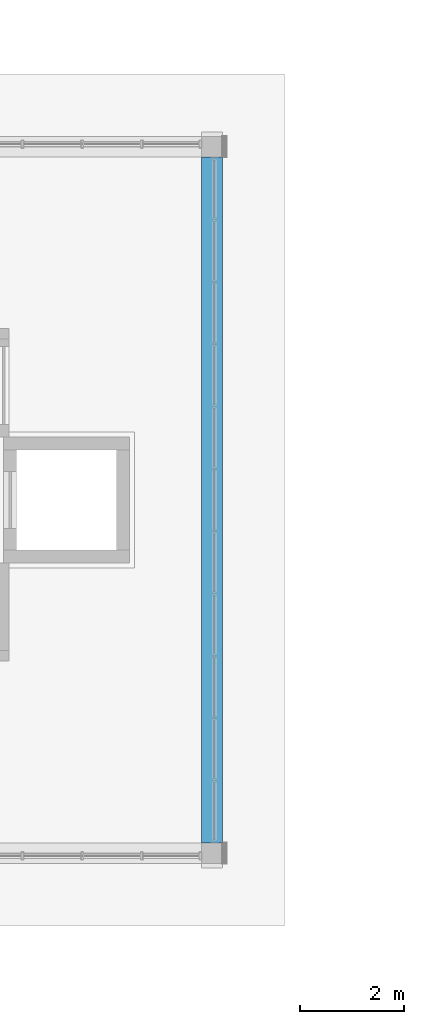
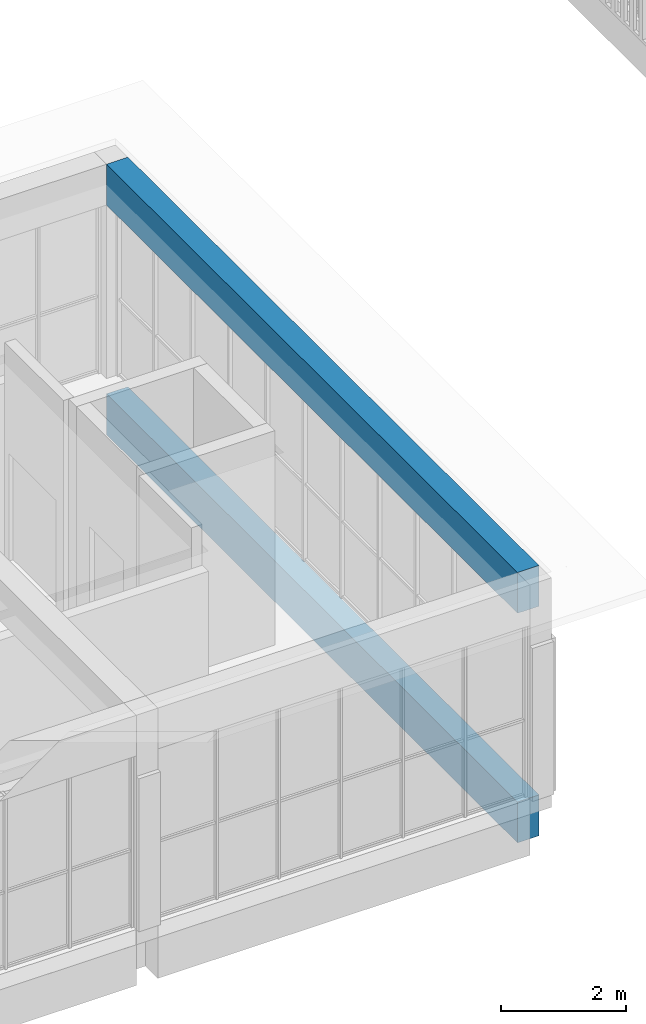
# One storey, part 26 of 92: 2 beams.
"""IFC4 building model written with IfcOpenShell, lengths in metres."""

from ifc_helpers import new_model, si_unit, direction, frame, origin, origin_2d, place, context, subcontext, project, spatial, rectangle, extrude, material, material_profile, profile_set, type_object, element, save


model = new_model("IFC4")

# Units and contexts
model_context = context("Model", 3, precision=1e-05, world=origin(), true_north=direction((0.0, 1.0)))
body_context = subcontext(model_context, "Body", "Model", "MODEL_VIEW")
ifc_project = project(units=[si_unit("LENGTHUNIT", "METRE"), si_unit("AREAUNIT", "SQUARE_METRE"), si_unit("VOLUMEUNIT", "CUBIC_METRE"), si_unit("PLANEANGLEUNIT", "RADIAN"), si_unit("MASSUNIT", "GRAM", prefix="KILO")], contexts=[model_context])

# Site, building, storey
site_placement = place(None, origin())
site = spatial("IfcSite", under=ifc_project, at=site_placement, CompositionType="ELEMENT")
building_placement = place(site_placement, origin())
building = spatial("IfcBuilding", under=site, at=building_placement, Name="Sun Court Science Centre", CompositionType="ELEMENT")
storey_placement = place(building_placement, frame((0.0, 0.0, 11.25)))
storey = spatial("IfcBuildingStorey", under=building, at=storey_placement, Name="L02", CompositionType="ELEMENT", Elevation=11.25)

# Beams
ifc_material = material(Name="Concrete C25/30", Category="concrete")
ifc_material_profile = material_profile(ifc_material, rectangle(XDim=0.39990234375, YDim=0.800048828125, at=origin_2d()), Name="RC 400x800")
ifc_profile_set = profile_set([ifc_material_profile], Name="Concrete C25/30")
beam_type = type_object("IfcBeamType", Name="RC girder 400x800", PredefinedType="BEAM", material=ifc_profile_set)
for number, where, z_axis, x_axis, name in (
    (1, (65.800048828125, 36.39990234375, -0.699951171875), (0.0, 1.0, 0.0), (-1.0, 0.0, 0.0), "Girder L02 line 3"),
    (2, (65.800048828125, 36.39990234375, 3.800048828125), (0.0, 1.0, 0.0), (-1.0, 0.0, 0.0), "Girder L03 line 3"),
):
    element("IfcBeam", number, at=place(storey_placement, frame(where, z_axis=z_axis, x_axis=x_axis)), inside=storey, type_object=beam_type, Name=name, PredefinedType="BEAM", context=body_context, shape_type="SweptSolid", body=[
        extrude(rectangle(XDim=0.39990234375, YDim=0.800048828125, at=origin_2d()), origin(), (0.0, 0.0, 1.0), 13.2001953125),
    ])

save(model, "model.ifc")
